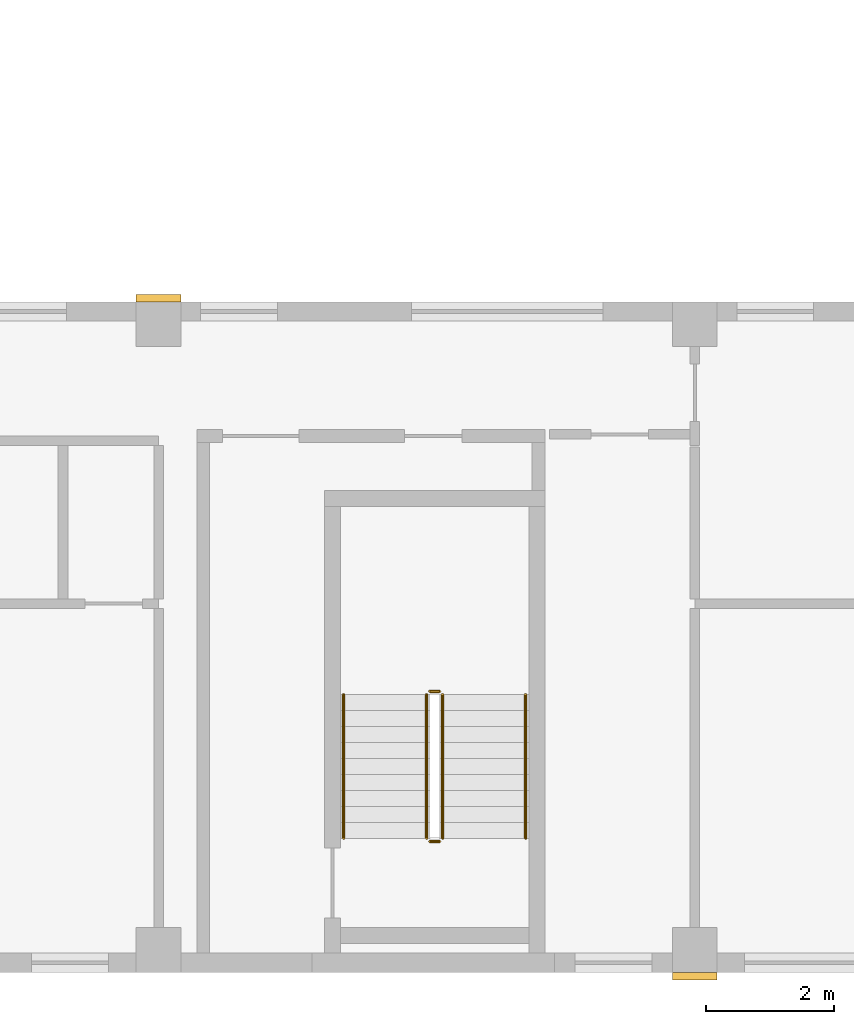
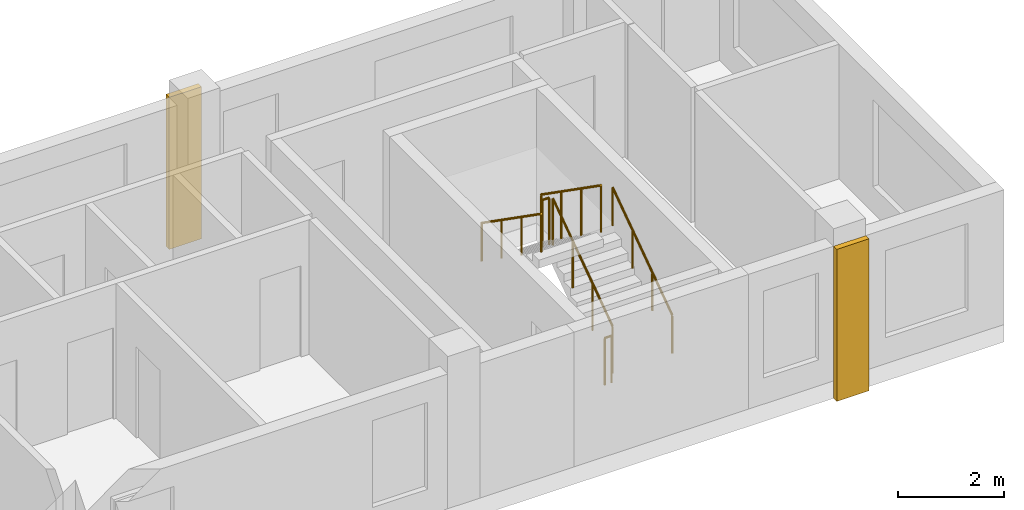
# One storey, part 8 of 9: 6 railings, 2 coverings.
"""IFC4 building model written with IfcOpenShell, lengths in metres."""

import ifcopenshell
import ifcopenshell.guid

model = None  # the IFC model being written
_history = None  # IfcOwnerHistory: only IFC2X3 demands one
_inside = {}  # id of a spatial element -> (the spatial element, [elements in it])
_under = {}  # id of a project, library or spatial element -> (it, [spatial elements below it])
_declared = {}  # id of a project -> (the project, [libraries it declares])
_typed = {}  # id of a type object -> (the type object, [elements of that type])
_made_of = {}  # id of a material, layer set ... -> (it, [elements and type objects made of it])


def new_model(schema):
    """Start an empty IFC model of exactly this schema.

    Asked for "IFC4X3", IfcOpenShell would pick the latest addendum, in which some entities
    have other attributes; the version numbers below select the first issue.
    IFC2X3 requires an IfcOwnerHistory on every rooted entity: one is made here for all.
    """
    global model, _history
    if schema == "IFC4X3":
        model = ifcopenshell.file(schema_version=(4, 3, 0, 0))
    else:
        model = ifcopenshell.file(schema=schema)
    _inside.clear()
    _under.clear()
    _declared.clear()
    _typed.clear()
    _made_of.clear()
    _history = None
    if model.schema == "IFC2X3":
        org = make("IfcOrganization", Name="unknown")
        user = make(
            "IfcPersonAndOrganization",
            ThePerson=make("IfcPerson", FamilyName="unknown"),
            TheOrganization=org,
        )
        app = make(
            "IfcApplication",
            ApplicationDeveloper=org,
            Version="unknown",
            ApplicationFullName="unknown",
            ApplicationIdentifier="unknown",
        )
        _history = make(
            "IfcOwnerHistory",
            OwningUser=user,
            OwningApplication=app,
            ChangeAction="ADDED",
            CreationDate=0,
        )
    return model


def make(cls, **values):
    """One entity of the class cls with the attributes given. An attribute that is None is left unset."""
    return model.create_entity(
        cls, **{name: value for name, value in values.items() if value is not None}
    )


def rooted(cls, **values):
    """An entity with a GlobalId (a new one), such as an element, a storey or a relation."""
    return make(cls, GlobalId=ifcopenshell.guid.new(), OwnerHistory=_history, **values)


def si_unit(unit_type, name, prefix=None):
    """IfcSIUnit, for example si_unit("LENGTHUNIT", "METRE", prefix="MILLI")."""
    return make("IfcSIUnit", UnitType=unit_type, Prefix=prefix, Name=name)


def assignment(units):
    """IfcUnitAssignment: the units of a project."""
    return None if units is None else make("IfcUnitAssignment", Units=units)


def point(xyz):
    """IfcCartesianPoint."""
    return None if xyz is None else make("IfcCartesianPoint", Coordinates=xyz)


def direction(xyz):
    """IfcDirection."""
    return None if xyz is None else make("IfcDirection", DirectionRatios=xyz)


def frame(location, z_axis=None, x_axis=None):
    """IfcAxis2Placement3D, a coordinate frame: its origin and axes. An axis left out is left unset."""
    return make(
        "IfcAxis2Placement3D",
        Location=point(location),
        Axis=direction(z_axis),
        RefDirection=direction(x_axis),
    )


def frame_2d(location, x_axis=None):
    """IfcAxis2Placement2D, a coordinate frame in the plane: its origin and x axis."""
    return make(
        "IfcAxis2Placement2D", Location=point(location), RefDirection=direction(x_axis)
    )


def origin():
    """The frame at (0, 0, 0) with its axes left unset."""
    return frame((0.0, 0.0, 0.0))


def origin_2d():
    """The frame at (0, 0) in the plane with its x axis left unset."""
    return frame_2d((0.0, 0.0))


def place(relative_to, where):
    """IfcLocalPlacement: puts the frame where relative to a parent placement (None: the world)."""
    return make(
        "IfcLocalPlacement", PlacementRelTo=relative_to, RelativePlacement=where
    )


def context(
    kind, dimensions, precision=None, world=None, true_north=None, identifier=None
):
    """IfcGeometricRepresentationContext, for example the 3D "Model" context."""
    return make(
        "IfcGeometricRepresentationContext",
        ContextIdentifier=identifier,
        ContextType=kind,
        CoordinateSpaceDimension=dimensions,
        Precision=precision,
        WorldCoordinateSystem=world,
        TrueNorth=true_north,
    )


def subcontext(parent, identifier, kind, view, scale=None):
    """IfcGeometricRepresentationSubContext, for example "Body" below "Model"."""
    return make(
        "IfcGeometricRepresentationSubContext",
        ContextIdentifier=identifier,
        ContextType=kind,
        ParentContext=parent,
        TargetScale=scale,
        TargetView=view,
    )


def project(units=None, contexts=None):
    """IfcProject with its units and contexts."""
    return rooted(
        "IfcProject",
        Name="project",
        RepresentationContexts=contexts,
        UnitsInContext=assignment(units),
    )


def spatial(cls, under=None, at=None, **own):
    """A site, building, storey or space (cls), placed at a placement, below another one or the project."""
    s = rooted(cls, ObjectPlacement=at, **own)
    if under is not None:
        _under.setdefault(under.id(), (under, []))[1].append(s)
    return s


def profile(cls, at=None, kind="AREA", **sizes):
    """A parametric profile (cls). Its sizes go by their IFC names, for example OverallWidth=200.0."""
    return make(cls, ProfileType=kind, Position=at, **sizes)


def rectangle(**sizes):
    """IfcRectangleProfileDef."""
    return profile("IfcRectangleProfileDef", **sizes)


def circle(**sizes):
    """IfcCircleProfileDef."""
    return profile("IfcCircleProfileDef", **sizes)


def extrude(swept, where, along, depth):
    """IfcExtrudedAreaSolid: the profile swept, set in the frame where, extruded along a direction by depth."""
    return make(
        "IfcExtrudedAreaSolid",
        SweptArea=swept,
        Position=where,
        ExtrudedDirection=direction(along),
        Depth=depth,
    )


def shape(context_of_items, identifier, shape_type, items):
    """IfcShapeRepresentation: the items that make up one representation, for example the "Body"."""
    return make(
        "IfcShapeRepresentation",
        ContextOfItems=context_of_items,
        RepresentationIdentifier=identifier,
        RepresentationType=shape_type,
        Items=items,
    )


def source(mapping_origin, context_of_items, identifier, shape_type, items):
    """IfcRepresentationMap: a shape defined once, which mapped items show again and again."""
    return make(
        "IfcRepresentationMap",
        MappingOrigin=mapping_origin,
        MappedRepresentation=shape(context_of_items, identifier, shape_type, items),
    )


def transform(
    local_origin,
    x_axis=None,
    y_axis=None,
    z_axis=None,
    scale=None,
    scale2=None,
    scale3=None,
    uniform=True,
):
    """IfcCartesianTransformationOperator3D, or its non-uniform kind. x_axis, y_axis, z_axis: its Axis1, 2, 3."""
    if uniform:
        return make(
            "IfcCartesianTransformationOperator3D",
            Axis1=direction(x_axis),
            Axis2=direction(y_axis),
            LocalOrigin=point(local_origin),
            Scale=scale,
            Axis3=direction(z_axis),
        )
    return make(
        "IfcCartesianTransformationOperator3DnonUniform",
        Axis1=direction(x_axis),
        Axis2=direction(y_axis),
        LocalOrigin=point(local_origin),
        Scale=scale,
        Axis3=direction(z_axis),
        Scale2=scale2,
        Scale3=scale3,
    )


def mapped(mapping_source, mapping_target):
    """IfcMappedItem: shows the shape of a source again, moved by a transform."""
    return make(
        "IfcMappedItem", MappingSource=mapping_source, MappingTarget=mapping_target
    )


def material(Name=None, Category=None):
    """IfcMaterial."""
    return make("IfcMaterial", Name=Name, Category=Category)


def made_of(thing, what):
    """Note that an element or type object is made of a material, layer set ...; save() writes the relation."""
    if what is not None:
        _made_of.setdefault(what.id(), (what, []))[1].append(thing)
    return thing


def type_object(cls, material=None, **own):
    """A type object (cls), such as IfcWallType, which elements share."""
    return made_of(rooted(cls, **own), material)


def element(
    cls,
    number,
    at=None,
    inside=None,
    cuts=None,
    type_object=None,
    material=None,
    context=None,
    identifier="Body",
    shape_type=None,
    held_by="IfcProductDefinitionShape",
    body=None,
    shapes=None,
    **own,
):
    """One element of the class cls, such as IfcWall. Its Tag is "e" and its number.

    at: its placement. inside: the storey or other place that contains it. cuts: it is an
    opening in that element (IfcRelVoidsElement). A single representation is given by context,
    identifier, shape_type and body (its items); several are given by shapes. held_by: the class
    of the entity that holds the representations. save() writes the other relations.
    """
    e = rooted(cls, Tag="e%d" % number, ObjectPlacement=at, **own)
    if body is not None:
        shapes = [shape(context, identifier, shape_type, body)]
    if shapes is not None:
        e.Representation = make(held_by, Representations=shapes)
    if inside is not None:
        _inside.setdefault(inside.id(), (inside, []))[1].append(e)
    if cuts is not None:
        rooted(
            "IfcRelVoidsElement", RelatingBuildingElement=cuts, RelatedOpeningElement=e
        )
    if type_object is not None:
        _typed.setdefault(type_object.id(), (type_object, []))[1].append(e)
    return made_of(e, material)


def aggregate(whole, parts):
    """IfcRelAggregates: a whole, such as a stair, and the parts it consists of."""
    return rooted("IfcRelAggregates", RelatingObject=whole, RelatedObjects=parts)


def save(model, path):
    """Write the relations noted so far, then the file.

    IfcRelAggregates (storeys below a building ...), IfcRelContainedInSpatialStructure (elements
    in a storey), IfcRelDefinesByType, IfcRelAssociatesMaterial and IfcRelDeclares: one each for
    every whole, place, type object, material and project.
    """
    for whole, parts in _under.values():
        aggregate(whole, parts)
    for where, things in _inside.values():
        rooted(
            "IfcRelContainedInSpatialStructure",
            RelatedElements=things,
            RelatingStructure=where,
        )
    for kind, things in _typed.values():
        rooted("IfcRelDefinesByType", RelatedObjects=things, RelatingType=kind)
    for what, things in _made_of.values():
        rooted("IfcRelAssociatesMaterial", RelatedObjects=things, RelatingMaterial=what)
    for by, libraries in _declared.values():
        rooted("IfcRelDeclares", RelatingContext=by, RelatedDefinitions=libraries)
    model.write(path)


model = new_model("IFC4")

# Units and contexts
model_context = context("Model", 3, precision=1e-05, world=origin(), true_north=direction((0.0, 1.0)))
body_context = subcontext(model_context, "Body", "Model", "MODEL_VIEW")
ifc_project = project(units=[si_unit("LENGTHUNIT", "METRE"), si_unit("AREAUNIT", "SQUARE_METRE"), si_unit("VOLUMEUNIT", "CUBIC_METRE"), si_unit("PLANEANGLEUNIT", "RADIAN"), si_unit("MASSUNIT", "GRAM", prefix="KILO")], contexts=[model_context])

# Site, building, storey
site_placement = place(None, origin())
site = spatial("IfcSite", under=ifc_project, at=site_placement, CompositionType="ELEMENT")
building_placement = place(site_placement, origin())
building = spatial("IfcBuilding", under=site, at=building_placement, Name="Aurelian Terraces", CompositionType="ELEMENT")
storey_placement = place(building_placement, frame((0.0, 0.0, 309.0)))
storey = spatial("IfcBuildingStorey", under=building, at=storey_placement, Name="L71", CompositionType="ELEMENT", Elevation=309.0)

# Coverings
ifc_material_1 = material(Name="Terracotta rainscreen cladding relief", Category="masonry")
covering_type = type_object("IfcCoveringType", Name="BAGUETTE-TC", PredefinedType="CLADDING", material=ifc_material_1)
shared_shape_1 = source(origin(), body_context, "Body", "SweptSolid", [
    extrude(rectangle(XDim=0.7, YDim=0.12, at=origin_2d()), origin(), (0.0, 0.0, 1.0), 3.5),
])
for number, where, z_axis, x_axis, name in (
    (1, (46.2, -0.06, -0.4), (0.0, 0.0, 1.0), (1.0, 0.0, 0.0), "BAGUETTE pier L71 3"),
    (2, (37.8, 10.56, -0.4), (0.0, 0.0, 1.0), (1.0, 0.0, 0.0), "BAGUETTE pier L71 4"),
):
    element("IfcCovering", number, at=place(storey_placement, frame(where, z_axis=z_axis, x_axis=x_axis)), inside=storey, type_object=covering_type, Name=name, PredefinedType="CLADDING", context=body_context, shape_type="MappedRepresentation", body=[
        mapped(shared_shape_1, transform((0.0, 0.0, 0.0), scale=1.0)),
    ])

# Railings
ifc_material_2 = material(Name="Stainless steel", Category="steel")
railing_type_1 = type_object("IfcRailingType", Name="Stair guard 1100", PredefinedType="GUARDRAIL", material=ifc_material_2)
shared_shape_2 = source(origin(), body_context, "Body", "SweptSolid", [
    extrude(circle(Radius=0.024, at=origin_2d()), frame((0.0, 0.0, 1.076), z_axis=(-1.0, 0.0, 0.0), x_axis=(0.0, -1.0, 0.0)), (0.0, 0.0, 1.0), 0.15),
    extrude(circle(Radius=0.021, at=origin_2d()), origin(), (0.0, 0.0, 1.0), 1.052),
    extrude(circle(Radius=0.021, at=origin_2d()), frame((-0.15, 0.0, 0.0)), (0.0, 0.0, 1.0), 1.052),
])
for number, where, name in (
    (3, (42.2, 4.4, 1.75), "L71 S2 stair guard 2"),
    (4, (42.2, 2.05, 0.0), "L71 S2 stair guard 4"),
):
    element("IfcRailing", number, at=place(storey_placement, frame(where)), inside=storey, type_object=railing_type_1, Name=name, PredefinedType="GUARDRAIL", context=body_context, shape_type="MappedRepresentation", body=[
        mapped(shared_shape_2, transform((0.0, 0.0, 0.0), scale=1.0)),
    ])
shared_shape_3 = source(origin(), body_context, "Body", "SweptSolid", [
    extrude(circle(Radius=0.024, at=origin_2d()), frame((0.0, 0.0, 1.076), z_axis=(0.0, 0.819231920519, 0.573462344363), x_axis=(-1.0, 0.0, 0.0)), (0.0, 0.0, 1.0), 2.7465),
    extrude(circle(Radius=0.021, at=origin_2d()), origin(), (0.0, 0.0, 1.0), 1.052),
    extrude(circle(Radius=0.021, at=origin_2d()), frame((0.0, 0.75, 0.525)), (0.0, 0.0, 1.0), 1.052),
    extrude(circle(Radius=0.021, at=origin_2d()), frame((0.0, 1.5, 1.05)), (0.0, 0.0, 1.0), 1.052),
    extrude(circle(Radius=0.021, at=origin_2d()), frame((0.0, 2.25, 1.575)), (0.0, 0.0, 1.0), 1.052),
])
railing_1_placement = place(storey_placement, frame((42.25, 2.1, 0.175)))
element("IfcRailing", 5, at=railing_1_placement, inside=storey, type_object=railing_type_1, Name="L71 S2 stair guard 1", PredefinedType="GUARDRAIL", context=body_context, shape_type="MappedRepresentation", body=[
    mapped(shared_shape_3, transform((0.0, 0.0, 0.0), scale=1.0)),
])
shared_shape_4 = source(origin(), body_context, "Body", "SweptSolid", [
    extrude(circle(Radius=0.024, at=origin_2d()), frame((0.0, 0.0, 1.076), z_axis=(0.0, -0.819231920519, 0.573462344363), x_axis=(1.0, 0.0, 0.0)), (0.0, 0.0, 1.0), 2.7465),
    extrude(circle(Radius=0.021, at=origin_2d()), origin(), (0.0, 0.0, 1.0), 1.052),
    extrude(circle(Radius=0.021, at=origin_2d()), frame((0.0, -0.75, 0.525)), (0.0, 0.0, 1.0), 1.052),
    extrude(circle(Radius=0.021, at=origin_2d()), frame((0.0, -1.5, 1.05)), (0.0, 0.0, 1.0), 1.052),
    extrude(circle(Radius=0.021, at=origin_2d()), frame((0.0, -2.25, 1.575)), (0.0, 0.0, 1.0), 1.052),
])
railing_2_placement = place(storey_placement, frame((42.0, 4.35, 1.925)))
element("IfcRailing", 6, at=railing_2_placement, inside=storey, type_object=railing_type_1, Name="L71 S2 stair guard 3", PredefinedType="GUARDRAIL", context=body_context, shape_type="MappedRepresentation", body=[
    mapped(shared_shape_4, transform((0.0, 0.0, 0.0), scale=1.0)),
])
railing_type_2 = type_object("IfcRailingType", Name="Stair handrail", PredefinedType="HANDRAIL", material=ifc_material_2)
shared_shape_5 = source(origin(), body_context, "Body", "SweptSolid", [
    extrude(circle(Radius=0.024, at=origin_2d()), frame((0.0, 0.0, 0.876), z_axis=(0.0, 0.819231920519, 0.573462344363), x_axis=(-1.0, 0.0, 0.0)), (0.0, 0.0, 1.0), 2.7465),
    extrude(circle(Radius=0.021, at=origin_2d()), origin(), (0.0, 0.0, 1.0), 0.852),
    extrude(circle(Radius=0.021, at=origin_2d()), frame((0.0, 0.75, 0.525)), (0.0, 0.0, 1.0), 0.852),
    extrude(circle(Radius=0.021, at=origin_2d()), frame((0.0, 1.5, 1.05)), (0.0, 0.0, 1.0), 0.852),
    extrude(circle(Radius=0.021, at=origin_2d()), frame((0.0, 2.25, 1.575)), (0.0, 0.0, 1.0), 0.852),
])
railing_3_placement = place(storey_placement, frame((43.55, 2.1, 0.175)))
element("IfcRailing", 7, at=railing_3_placement, inside=storey, type_object=railing_type_2, Name="L71 S2 stair handrail 1", PredefinedType="HANDRAIL", context=body_context, shape_type="MappedRepresentation", body=[
    mapped(shared_shape_5, transform((0.0, 0.0, 0.0), scale=1.0)),
])
shared_shape_6 = source(origin(), body_context, "Body", "SweptSolid", [
    extrude(circle(Radius=0.024, at=origin_2d()), frame((0.0, 0.0, 0.876), z_axis=(0.0, -0.819231920519, 0.573462344363), x_axis=(1.0, 0.0, 0.0)), (0.0, 0.0, 1.0), 2.7465),
    extrude(circle(Radius=0.021, at=origin_2d()), origin(), (0.0, 0.0, 1.0), 0.852),
    extrude(circle(Radius=0.021, at=origin_2d()), frame((0.0, -0.75, 0.525)), (0.0, 0.0, 1.0), 0.852),
    extrude(circle(Radius=0.021, at=origin_2d()), frame((0.0, -1.5, 1.05)), (0.0, 0.0, 1.0), 0.852),
    extrude(circle(Radius=0.021, at=origin_2d()), frame((0.0, -2.25, 1.575)), (0.0, 0.0, 1.0), 0.852),
])
railing_4_placement = place(storey_placement, frame((40.7, 4.35, 1.925)))
element("IfcRailing", 8, at=railing_4_placement, inside=storey, type_object=railing_type_2, Name="L71 S2 stair handrail 2", PredefinedType="HANDRAIL", context=body_context, shape_type="MappedRepresentation", body=[
    mapped(shared_shape_6, transform((0.0, 0.0, 0.0), scale=1.0)),
])

save(model, "model.ifc")
